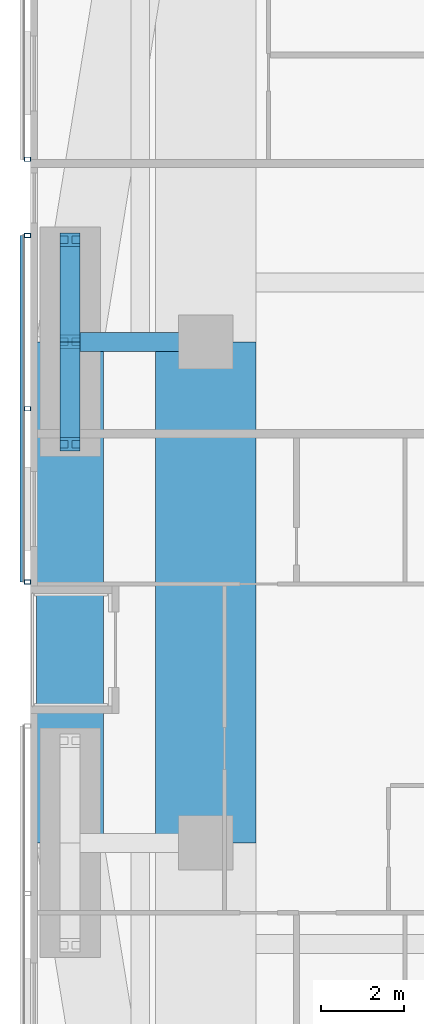
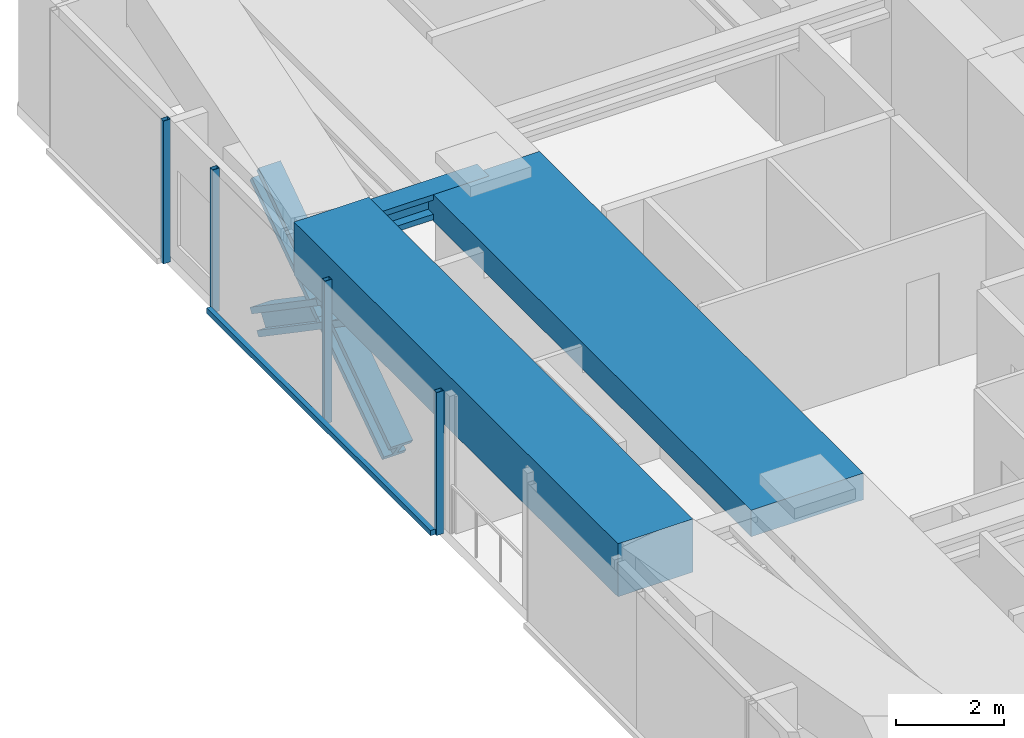
# One storey, part 6 of 23: 9 members, 3 beams, 2 elements without a shape of their own.
"""IFC4 building model written with IfcOpenShell, lengths in metres."""

from ifc_helpers import new_model, si_unit, direction, frame, origin, origin_2d, place, context, subcontext, project, spatial, rectangle, hollow_rectangle, i_section, extrude, material, material_profile, profile_set, type_object, element, aggregate, save


model = new_model("IFC4")

# Units and contexts
model_context = context("Model", 3, precision=1e-05, world=origin(), true_north=direction((0.0, 1.0)))
body_context = subcontext(model_context, "Body", "Model", "MODEL_VIEW")
ifc_project = project(units=[si_unit("LENGTHUNIT", "METRE"), si_unit("AREAUNIT", "SQUARE_METRE"), si_unit("VOLUMEUNIT", "CUBIC_METRE"), si_unit("PLANEANGLEUNIT", "RADIAN"), si_unit("MASSUNIT", "GRAM", prefix="KILO")], contexts=[model_context])

# Site, building, storey
site_placement = place(None, origin())
site = spatial("IfcSite", under=ifc_project, at=site_placement, CompositionType="ELEMENT")
building_placement = place(site_placement, origin())
building = spatial("IfcBuilding", under=site, at=building_placement, Name="Jalousie Tower", CompositionType="ELEMENT")
storey_placement = place(building_placement, frame((0.0, 0.0, 111.550048828125)))
storey = spatial("IfcBuildingStorey", under=building, at=storey_placement, Name="L30", CompositionType="ELEMENT", Elevation=111.550048828125)

# Beam
ifc_material_1 = material(Name="Steel ASTM A992 Grade 50", Category="steel")
ifc_material_profile_1 = material_profile(ifc_material_1, i_section(OverallWidth=0.45458984375, OverallDepth=0.569091796875, WebThickness=0.077880859375, FlangeThickness=0.124755859375, at=origin_2d()), Name="W14X730")
ifc_profile_set_1 = profile_set([ifc_material_profile_1], Name="Steel ASTM A992 Grade 50")
beam_type_1 = type_object("IfcBeamType", Name="LEAN COLLECTOR W14X730", PredefinedType="BEAM", material=ifc_profile_set_1)
beam_1_placement = place(storey_placement, frame((6.949951171875, 25.0, 2.825439453125), z_axis=(1.0, 0.0, 0.0), x_axis=(0.0, 1.0, 0.0)))
element("IfcBeam", 1, at=beam_1_placement, inside=storey, type_object=beam_type_1, Name="Lean collector under L31", PredefinedType="BEAM", context=body_context, shape_type="SweptSolid", body=[
    extrude(i_section(OverallWidth=0.45458984375, OverallDepth=0.569091796875, WebThickness=0.077880859375, FlangeThickness=0.124755859375, at=origin_2d()), origin(), (0.0, 0.0, 1.0), 3.25),
])

# Members
ifc_material_2 = material(Name="Steel ASTM A992 Grade 50", Category="steel")
ifc_material_profile_2 = material_profile(ifc_material_2, i_section(OverallWidth=0.472412109375, OverallDepth=0.5791015625, WebThickness=0.094970703125, FlangeThickness=0.1298828125, at=origin_2d()), Name="W14X808")
ifc_profile_set_2 = profile_set([ifc_material_profile_2], Name="Steel ASTM A992 Grade 50")
member_type_1 = type_object("IfcMemberType", Name="PERIMETER BRACE W14X808", PredefinedType="BRACE", material=ifc_profile_set_2)
for number, where, z_axis, x_axis, name in (
    (2, (6.949951171875, 22.550048828125, -0.60009765625), (0.0, 0.825500916831, 0.564400776321), (-1.0, 0.0, 0.0), "Perimeter brace 13 L30 part 1"),
    (3, (6.949951171875, 25.0, 1.074951171875), (0.0, 0.825500916831, 0.564400776321), (-1.0, 0.0, 0.0), "Perimeter brace 13 L30 part 2"),
    (4, (6.949951171875, 27.449951171875, -0.60009765625), (0.0, -0.825500916831, 0.564400776321), (1.0, 0.0, 0.0), "Perimeter brace 13 L30 part 3"),
    (5, (6.949951171875, 25.0, 1.074951171875), (0.0, -0.825500916831, 0.564400776321), (1.0, 0.0, 0.0), "Perimeter brace 13 L30 part 4"),
):
    element("IfcMember", number, at=place(storey_placement, frame(where, z_axis=z_axis, x_axis=x_axis)), inside=storey, type_object=member_type_1, Name=name, PredefinedType="BRACE", context=body_context, shape_type="SweptSolid", body=[
        extrude(i_section(OverallWidth=0.472412109375, OverallDepth=0.5791015625, WebThickness=0.094970703125, FlangeThickness=0.1298828125, at=origin_2d()), origin(), (0.0, 0.0, 1.0), 2.9677734375),
    ])

# Beams
ifc_material_3 = material(Name="Concrete f'c 40 MPa", Category="concrete")
ifc_material_profile_3 = material_profile(ifc_material_3, rectangle(XDim=1.60009765625, YDim=1.199951171875, at=origin_2d()), Name="RC 1600x1200")
ifc_profile_set_3 = profile_set([ifc_material_profile_3], Name="Concrete f'c 40 MPa")
beam_type_2 = type_object("IfcBeamType", Name="RC BEAM 1600x1200", PredefinedType="BEAM", material=ifc_profile_set_3)
beam_2_placement = place(storey_placement, frame((6.949951171875, 25.0, 2.75), z_axis=(0.0, -1.0, 0.0), x_axis=(1.0, 0.0, 0.0)))
element("IfcBeam", 6, at=beam_2_placement, inside=storey, type_object=beam_type_2, Name="Edge band beam 13-14 under L31", PredefinedType="BEAM", context=body_context, shape_type="SweptSolid", body=[
    extrude(rectangle(XDim=1.60009765625, YDim=1.199951171875, at=origin_2d()), origin(), (0.0, 0.0, 1.0), 12.0),
])
ifc_material_4 = material(Name="Concrete f'c 40 MPa", Category="concrete")
ifc_material_profile_4 = material_profile(ifc_material_4, rectangle(XDim=2.39990234375, YDim=0.60009765625, at=origin_2d()), Name="RC 2400x600")
ifc_profile_set_4 = profile_set([ifc_material_profile_4], Name="Concrete f'c 40 MPa")
beam_type_3 = type_object("IfcBeamType", Name="RC BEAM 2400x600", PredefinedType="BEAM", material=ifc_profile_set_4)
beam_3_placement = place(storey_placement, frame((10.199951171875, 13.0, 2.81005859375), z_axis=(0.0, 1.0, 0.0), x_axis=(-1.0, 0.0, 0.0)))
element("IfcBeam", 7, at=beam_3_placement, inside=storey, type_object=beam_type_3, Name="Floor band beam under L31", PredefinedType="BEAM", context=body_context, shape_type="SweptSolid", body=[
    extrude(rectangle(XDim=2.39990234375, YDim=0.60009765625, at=origin_2d()), origin(), (0.0, 0.0, 1.0), 12.0),
])

# Curtain wall, member
ifc_material_5 = material(Name="Perforated aluminium sheet", Category="aluminium")
curtain_wall_type = type_object("IfcCurtainWallType", Name="SOLAR SCREEN SS-1", PredefinedType="USERDEFINED", material=ifc_material_5)
curtain_wall_1_placement = place(storey_placement, origin())
curtain_wall_1 = element("IfcCurtainWall", 8, at=curtain_wall_1_placement, inside=storey, type_object=curtain_wall_type, Name="Solar screen L30", ObjectType="SOLAR SCREEN SS-1", PredefinedType="USERDEFINED")
ifc_material_6 = material(Name="Steel ASTM A500 Grade C", Category="steel")
ifc_material_profile_5 = material_profile(ifc_material_6, hollow_rectangle(XDim=0.1015625, YDim=0.15234375, WallThickness=0.00634765625, at=origin_2d()), Name="HSS6X4X1/4")
ifc_profile_set_5 = profile_set([ifc_material_profile_5], Name="Steel ASTM A500 Grade C")
member_type_2 = type_object("IfcMemberType", Name="SOLAR SCREEN SS-1 MULLION", PredefinedType="MULLION", material=ifc_profile_set_5)
member_1_placement = place(storey_placement, frame((5.9287109375, 29.375, -0.1201171875), z_axis=(0.0, 0.0, 1.0), x_axis=(0.0, -1.0, 0.0)))
member_1 = element("IfcMember", 9, at=member_1_placement, type_object=member_type_2, Name="SS1 post 2", PredefinedType="MULLION", context=body_context, shape_type="SweptSolid", body=[
    extrude(hollow_rectangle(XDim=0.1015625, YDim=0.15234375, WallThickness=0.00634765625, at=origin_2d()), origin(), (0.0, 0.0, 1.0), 3.22998046875),
])
aggregate(curtain_wall_1, [member_1])

# Curtain wall, members
curtain_wall_2_placement = place(storey_placement, origin())
curtain_wall_2 = element("IfcCurtainWall", 10, at=curtain_wall_2_placement, inside=storey, type_object=curtain_wall_type, Name="Solar screen L30", ObjectType="SOLAR SCREEN SS-1", PredefinedType="USERDEFINED")
member_2_placement = place(storey_placement, frame((5.9287109375, 27.550048828125, -0.1201171875), z_axis=(0.0, 0.0, 1.0), x_axis=(0.0, -1.0, 0.0)))
member_2 = element("IfcMember", 11, at=member_2_placement, type_object=member_type_2, Name="SS1 post 1", PredefinedType="MULLION", context=body_context, shape_type="SweptSolid", body=[
    extrude(hollow_rectangle(XDim=0.1015625, YDim=0.15234375, WallThickness=0.00634765625, at=origin_2d()), origin(), (0.0, 0.0, 1.0), 3.22998046875),
])
member_3_placement = place(storey_placement, frame((5.9287109375, 23.39990234375, -0.1201171875), z_axis=(0.0, 0.0, 1.0), x_axis=(0.0, -1.0, 0.0)))
member_3 = element("IfcMember", 12, at=member_3_placement, type_object=member_type_2, Name="SS1 post 2", PredefinedType="MULLION", context=body_context, shape_type="SweptSolid", body=[
    extrude(hollow_rectangle(XDim=0.1015625, YDim=0.15234375, WallThickness=0.00634765625, at=origin_2d()), origin(), (0.0, 0.0, 1.0), 3.22998046875),
])
member_4_placement = place(storey_placement, frame((5.9287109375, 19.25, -0.1201171875), z_axis=(0.0, 0.0, 1.0), x_axis=(0.0, -1.0, 0.0)))
member_4 = element("IfcMember", 13, at=member_4_placement, type_object=member_type_2, Name="SS1 post 3", PredefinedType="MULLION", context=body_context, shape_type="SweptSolid", body=[
    extrude(hollow_rectangle(XDim=0.1015625, YDim=0.15234375, WallThickness=0.00634765625, at=origin_2d()), origin(), (0.0, 0.0, 1.0), 3.22998046875),
])
ifc_material_7 = material(Name="Extruded aluminium screen rail", Category="aluminium")
ifc_material_profile_6 = material_profile(ifc_material_7, rectangle(XDim=0.1015625, YDim=0.1201171875, at=origin_2d()), Name="RAIL 102x120")
ifc_profile_set_6 = profile_set([ifc_material_profile_6], Name="Extruded aluminium screen rail")
member_type_3 = type_object("IfcMemberType", Name="SOLAR SCREEN SS-1 TRANSOM", PredefinedType="USERDEFINED", material=ifc_profile_set_6)
member_5_placement = place(storey_placement, frame((5.8017578125, 27.550048828125, -0.06005859375), z_axis=(0.0, -1.0, 0.0), x_axis=(1.0, 0.0, 0.0)))
member_5 = element("IfcMember", 14, at=member_5_placement, type_object=member_type_3, Name="SS1 rail", ObjectType="TRANSOM", PredefinedType="USERDEFINED", context=body_context, shape_type="SweptSolid", body=[
    extrude(rectangle(XDim=0.1015625, YDim=0.1201171875, at=origin_2d()), origin(), (0.0, 0.0, 1.0), 8.300048828125),
])
aggregate(curtain_wall_2, [member_2, member_3, member_4, member_5])

save(model, "model.ifc")
